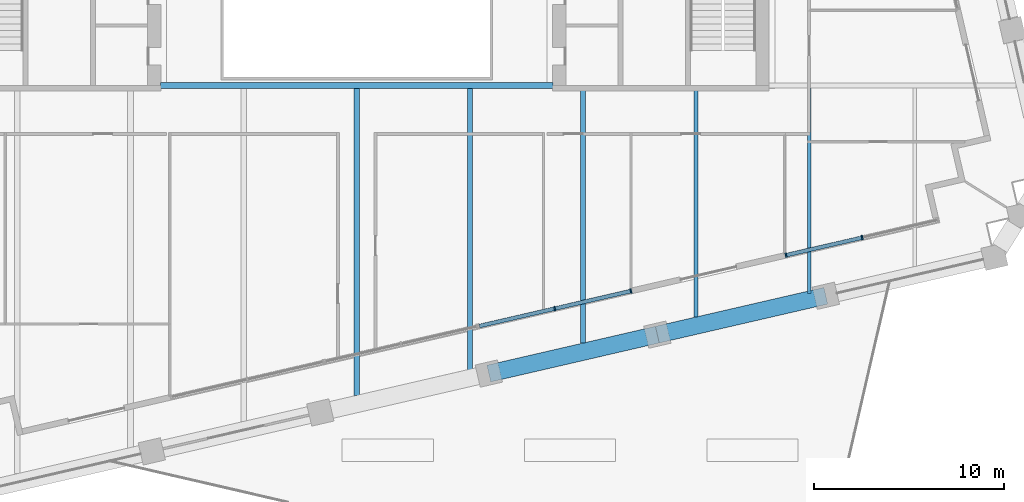
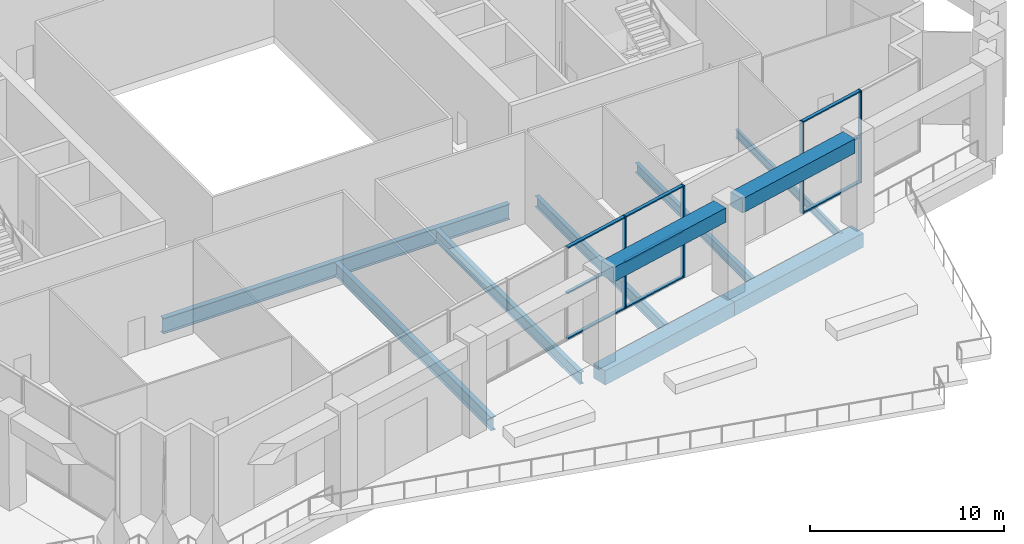
# One storey, part 3 of 24: 13 members, 10 beams, 2 elements without a shape of their own.
"""IFC4 building model written with IfcOpenShell, lengths in metres."""

from ifc_helpers import new_model, si_unit, direction, frame, origin, origin_2d, place, context, subcontext, project, spatial, rectangle, i_section, extrude, material, material_profile, profile_set, type_object, element, aggregate, save


model = new_model("IFC4")

# Units and contexts
model_context = context("Model", 3, precision=1e-05, world=origin(), true_north=direction((0.0, 1.0)))
body_context = subcontext(model_context, "Body", "Model", "MODEL_VIEW")
ifc_project = project(units=[si_unit("LENGTHUNIT", "METRE"), si_unit("AREAUNIT", "SQUARE_METRE"), si_unit("VOLUMEUNIT", "CUBIC_METRE"), si_unit("PLANEANGLEUNIT", "RADIAN"), si_unit("MASSUNIT", "GRAM", prefix="KILO")], contexts=[model_context])

# Site, building, storey
site_placement = place(None, origin())
site = spatial("IfcSite", under=ifc_project, at=site_placement, CompositionType="ELEMENT")
building_placement = place(site_placement, origin())
building = spatial("IfcBuilding", under=site, at=building_placement, Name="Ogive Exchange Tower", CompositionType="ELEMENT")
storey_placement = place(building_placement, frame((0.0, 0.0, 165.60009765625)))
storey = spatial("IfcBuildingStorey", under=building, at=storey_placement, Name="L36", CompositionType="ELEMENT", Elevation=165.60009765625)

# Beams
ifc_material_1 = material(Name="Steel ASTM A992 Gr50", Category="steel")
ifc_material_profile_1 = material_profile(ifc_material_1, i_section(OverallWidth=0.1669921875, OverallDepth=0.535888671875, WebThickness=0.01025390625, FlangeThickness=0.0166015625, at=origin_2d()), Name="W530x85")
ifc_profile_set_1 = profile_set([ifc_material_profile_1], Name="Steel ASTM A992 Gr50")
beam_type_1 = type_object("IfcBeamType", Name="Floor beam W530x85", PredefinedType="JOIST", material=ifc_profile_set_1)
beam_1_placement = place(storey_placement, frame((23.806396484375, -13.40478515625, -0.718017578125), z_axis=(0.0, 1.0, 0.0), x_axis=(-1.0, 0.0, 0.0)))
element("IfcBeam", 1, at=beam_1_placement, inside=storey, type_object=beam_type_1, Name="Floor beam", PredefinedType="JOIST", context=body_context, shape_type="SweptSolid", body=[
    extrude(i_section(OverallWidth=0.1669921875, OverallDepth=0.535888671875, WebThickness=0.01025390625, FlangeThickness=0.0166015625, at=origin_2d()), origin(), (0.0, 0.0, 1.0), 10.826171875),
])
ifc_material_profile_2 = material_profile(ifc_material_1, i_section(OverallWidth=0.22802734375, OverallDepth=0.60205078125, WebThickness=0.010498046875, FlangeThickness=0.014892578125, at=origin_2d()), Name="W610x101")
ifc_profile_set_2 = profile_set([ifc_material_profile_2], Name="Steel ASTM A992 Gr50")
beam_type_2 = type_object("IfcBeamType", Name="Floor beam W610x101", PredefinedType="JOIST", material=ifc_profile_set_2)
beam_2_placement = place(storey_placement, frame((17.854736328125, -14.62890625, -0.7509765625), z_axis=(0.0, 1.0, 0.0), x_axis=(-1.0, 0.0, 0.0)))
element("IfcBeam", 2, at=beam_2_placement, inside=storey, type_object=beam_type_2, Name="Floor beam", PredefinedType="JOIST", context=body_context, shape_type="SweptSolid", body=[
    extrude(i_section(OverallWidth=0.22802734375, OverallDepth=0.60205078125, WebThickness=0.010498046875, FlangeThickness=0.014892578125, at=origin_2d()), origin(), (0.0, 0.0, 1.0), 12.02880859375),
])
ifc_material_profile_3 = material_profile(ifc_material_1, i_section(OverallWidth=0.25390625, OverallDepth=0.677978515625, WebThickness=0.01171875, FlangeThickness=0.016357421875, at=origin_2d()), Name="W690x125")
ifc_profile_set_3 = profile_set([ifc_material_profile_3], Name="Steel ASTM A992 Gr50")
beam_type_3 = type_object("IfcBeamType", Name="Floor beam W690x125", PredefinedType="JOIST", material=ifc_profile_set_3)
beam_3_placement = place(storey_placement, frame((11.9033203125, -16.0029296875, -0.7890625), z_axis=(0.0, 1.0, 0.0), x_axis=(-1.0, 0.0, 0.0)))
element("IfcBeam", 3, at=beam_3_placement, inside=storey, type_object=beam_type_3, Name="Floor beam", PredefinedType="JOIST", context=body_context, shape_type="SweptSolid", body=[
    extrude(i_section(OverallWidth=0.25390625, OverallDepth=0.677978515625, WebThickness=0.01171875, FlangeThickness=0.016357421875, at=origin_2d()), origin(), (0.0, 0.0, 1.0), 13.40283203125),
])
ifc_material_profile_4 = material_profile(ifc_material_1, i_section(OverallWidth=0.26708984375, OverallDepth=0.75390625, WebThickness=0.01318359375, FlangeThickness=0.01708984375, at=origin_2d()), Name="W760x147")
ifc_profile_set_4 = profile_set([ifc_material_profile_4], Name="Steel ASTM A992 Gr50")
beam_type_4 = type_object("IfcBeamType", Name="Floor beam W760x147", PredefinedType="JOIST", material=ifc_profile_set_4)
beam_4_placement = place(storey_placement, frame((5.95166015625, -17.52685546875, -0.8271484375), z_axis=(0.0, 1.0, 0.0), x_axis=(-1.0, 0.0, 0.0)))
element("IfcBeam", 4, at=beam_4_placement, inside=storey, type_object=beam_type_4, Name="Floor beam", PredefinedType="JOIST", context=body_context, shape_type="SweptSolid", body=[
    extrude(i_section(OverallWidth=0.26708984375, OverallDepth=0.75390625, WebThickness=0.01318359375, FlangeThickness=0.01708984375, at=origin_2d()), origin(), (0.0, 0.0, 1.0), 14.931884765625),
])
ifc_material_profile_5 = material_profile(ifc_material_1, i_section(OverallWidth=0.2919921875, OverallDepth=0.8359375, WebThickness=0.013916015625, FlangeThickness=0.018798828125, at=origin_2d()), Name="W840x176")
ifc_profile_set_5 = profile_set([ifc_material_profile_5], Name="Steel ASTM A992 Gr50")
beam_type_5 = type_object("IfcBeamType", Name="Floor beam W840x176", PredefinedType="JOIST", material=ifc_profile_set_5)
beam_5_placement = place(storey_placement, frame((0.0, -18.7509765625, -0.8681640625), z_axis=(0.0, 1.0, 0.0), x_axis=(-1.0, 0.0, 0.0)))
element("IfcBeam", 5, at=beam_5_placement, inside=storey, type_object=beam_type_5, Name="Floor beam", PredefinedType="JOIST", context=body_context, shape_type="SweptSolid", body=[
    extrude(i_section(OverallWidth=0.2919921875, OverallDepth=0.8359375, WebThickness=0.013916015625, FlangeThickness=0.018798828125, at=origin_2d()), origin(), (0.0, 0.0, 1.0), 16.156005859375),
])
ifc_material_profile_6 = material_profile(ifc_material_1, i_section(OverallWidth=0.300048828125, OverallDepth=0.97998046875, WebThickness=0.0166015625, FlangeThickness=0.026123046875, at=origin_2d()), Name="W1000x249")
ifc_profile_set_6 = profile_set([ifc_material_profile_6], Name="Steel ASTM A992 Gr50")
beam_type_6 = type_object("IfcBeamType", Name="Girder W1000x249", PredefinedType="BEAM", material=ifc_profile_set_6)
beam_6_placement = place(storey_placement, frame((-10.320068359375, -2.445068359375, -0.940185546875), z_axis=(1.0, 0.0, 0.0), x_axis=(0.0, 1.0, 0.0)))
element("IfcBeam", 6, at=beam_6_placement, inside=storey, type_object=beam_type_6, Name="Header girder", PredefinedType="BEAM", context=body_context, shape_type="SweptSolid", body=[
    extrude(i_section(OverallWidth=0.300048828125, OverallDepth=0.97998046875, WebThickness=0.0166015625, FlangeThickness=0.026123046875, at=origin_2d()), origin(), (0.0, 0.0, 1.0), 20.64013671875),
])
ifc_material_2 = material(Name="Precast concrete C70/85 (limestone faced)", Category="masonry")
ifc_material_profile_7 = material_profile(ifc_material_2, rectangle(XDim=0.89990234375, YDim=0.89990234375, at=origin_2d()), Name="900 x 900")
ifc_profile_set_7 = profile_set([ifc_material_profile_7], Name="Precast concrete C70/85 (limestone faced)")
beam_type_7 = type_object("IfcBeamType", Name="Precast spandrel 900 x 900 C70/85", PredefinedType="SPANDREL", material=ifc_profile_set_7)
for number, where, z_axis, x_axis, name in (
    (7, (7.51611328125, -17.4775390625, 5.2998046875), (0.974369944206, 0.224951576629, 0.0), (-0.224951576629, 0.974369944206, 0.0), "Spandrel 4"),
    (8, (16.3828125, -15.430419921875, 5.2998046875), (0.974369944206, 0.224951576629, 0.0), (-0.224951576629, 0.974369944206, 0.0), "Spandrel 5"),
):
    element("IfcBeam", number, at=place(storey_placement, frame(where, z_axis=z_axis, x_axis=x_axis)), inside=storey, type_object=beam_type_7, Name=name, PredefinedType="SPANDREL", context=body_context, shape_type="SweptSolid", body=[
        extrude(rectangle(XDim=0.89990234375, YDim=0.89990234375, at=origin_2d()), origin(), (0.0, 0.0, 1.0), 7.940185546875),
    ])
ifc_material_profile_8 = material_profile(ifc_material_2, rectangle(XDim=0.89990234375, YDim=0.89990234375, at=origin_2d()), Name="900 x 900")
ifc_profile_set_8 = profile_set([ifc_material_profile_8], Name="Precast concrete C70/85 (limestone faced)")
beam_type_8 = type_object("IfcBeamType", Name="Precast transfer girder 900 x 900 C70/85", PredefinedType="BEAM", material=ifc_profile_set_8)
beam_7_placement = place(storey_placement, frame((6.950927734375, -17.60791015625, -0.900146484375), z_axis=(0.974375367626, 0.224928083983, 0.0), x_axis=(-0.224928083983, 0.974375367626, 0.0)))
element("IfcBeam", 9, at=beam_7_placement, inside=storey, type_object=beam_type_8, Name="Transfer girder 4", PredefinedType="BEAM", context=body_context, shape_type="SweptSolid", body=[
    extrude(rectangle(XDim=0.89990234375, YDim=0.89990234375, at=origin_2d()), origin(), (0.0, 0.0, 1.0), 9.10009765625),
])
beam_8_placement = place(storey_placement, frame((15.81787109375, -15.56103515625, -0.900146484375), z_axis=(0.974368129866, 0.224959435237, 0.0), x_axis=(-0.224959435237, 0.974368129866, 0.0)))
element("IfcBeam", 10, at=beam_8_placement, inside=storey, type_object=beam_type_8, Name="Transfer girder 5", PredefinedType="BEAM", context=body_context, shape_type="SweptSolid", body=[
    extrude(rectangle(XDim=0.89990234375, YDim=0.89990234375, at=origin_2d()), origin(), (0.0, 0.0, 1.0), 9.099853515625),
])

# Curtain wall, members
ifc_material_3 = material(Name="Anodised aluminium and clear glass", Category="aluminium")
curtain_wall_type = type_object("IfcCurtainWallType", Name="Winter garden glazing", PredefinedType="NOTDEFINED", material=ifc_material_3)
curtain_wall_1_placement = place(storey_placement, origin())
curtain_wall_1 = element("IfcCurtainWall", 11, at=curtain_wall_1_placement, inside=storey, type_object=curtain_wall_type, Name="Winter garden glazing run G4", PredefinedType="NOTDEFINED")
ifc_material_4 = material(Name="Anodised aluminium", Category="aluminium")
ifc_material_profile_9 = material_profile(ifc_material_4, rectangle(XDim=0.239990234375, YDim=0.080078125, at=origin_2d()), Name="AL 80x240")
ifc_profile_set_9 = profile_set([ifc_material_profile_9], Name="Anodised aluminium")
member_type_1 = type_object("IfcMemberType", Name="Winter garden glazing mullion 80 x 240", PredefinedType="MULLION", material=ifc_profile_set_9)
member_1_placement = place(storey_placement, frame((10.4208984375, -14.18994140625, 0.0), z_axis=(0.0, 0.0, 1.0), x_axis=(-0.224953658314, 0.974369463608, 0.0)))
member_1 = element("IfcMember", 12, at=member_1_placement, type_object=member_type_1, Name="G4 mullion 2", PredefinedType="MULLION", context=body_context, shape_type="SweptSolid", body=[
    extrude(rectangle(XDim=0.239990234375, YDim=0.080078125, at=origin_2d()), origin(), (0.0, 0.0, 1.0), 5.7998046875),
])
member_2_placement = place(storey_placement, frame((14.425537109375, -13.265380859375, 0.0), z_axis=(0.0, 0.0, 1.0), x_axis=(-0.224953658314, 0.974369463608, 0.0)))
member_2 = element("IfcMember", 13, at=member_2_placement, type_object=member_type_1, Name="G4 mullion 3", PredefinedType="MULLION", context=body_context, shape_type="SweptSolid", body=[
    extrude(rectangle(XDim=0.239990234375, YDim=0.080078125, at=origin_2d()), origin(), (0.0, 0.0, 1.0), 5.7998046875),
])

curtain_wall_2_placement = place(storey_placement, origin())
curtain_wall_2 = element("IfcCurtainWall", 14, at=curtain_wall_2_placement, inside=storey, type_object=curtain_wall_type, Name="Winter garden glazing run G6", PredefinedType="NOTDEFINED")
member_3_placement = place(storey_placement, frame((22.5908203125, -11.380126953125, 0.0), z_axis=(0.0, 0.0, 1.0), x_axis=(-0.224951017509, 0.974370073289, 0.0)))
member_3 = element("IfcMember", 15, at=member_3_placement, type_object=member_type_1, Name="G6 mullion 1", PredefinedType="MULLION", context=body_context, shape_type="SweptSolid", body=[
    extrude(rectangle(XDim=0.239990234375, YDim=0.080078125, at=origin_2d()), origin(), (0.0, 0.0, 1.0), 5.7998046875),
])
member_4_placement = place(storey_placement, frame((26.595458984375, -10.45556640625, 0.0), z_axis=(0.0, 0.0, 1.0), x_axis=(-0.224951017509, 0.974370073289, 0.0)))
member_4 = element("IfcMember", 16, at=member_4_placement, type_object=member_type_1, Name="G6 mullion 2", PredefinedType="MULLION", context=body_context, shape_type="SweptSolid", body=[
    extrude(rectangle(XDim=0.239990234375, YDim=0.080078125, at=origin_2d()), origin(), (0.0, 0.0, 1.0), 5.7998046875),
])

# Member
ifc_material_profile_10 = material_profile(ifc_material_4, rectangle(XDim=0.199951171875, YDim=0.080078125, at=origin_2d()), Name="AL 80x200")
ifc_profile_set_10 = profile_set([ifc_material_profile_10], Name="Anodised aluminium")
member_type_2 = type_object("IfcMemberType", Name="Winter garden glazing transom 80 x 200", PredefinedType="USERDEFINED", material=ifc_profile_set_10)
member_5_placement = place(storey_placement, frame((6.455322265625, -15.10546875, 0.039794921875), z_axis=(0.974360556574, 0.224992234961, 0.0), x_axis=(-0.224992234961, 0.974360556574, 0.0)))
member_5 = element("IfcMember", 17, at=member_5_placement, type_object=member_type_2, Name="G4 transom 1.1", ObjectType="TRANSOM", PredefinedType="USERDEFINED", context=body_context, shape_type="SweptSolid", body=[
    extrude(rectangle(XDim=0.199951171875, YDim=0.080078125, at=origin_2d()), origin(), (0.0, 0.0, 1.0), 4.030029296875),
])

member_6_placement = place(storey_placement, frame((6.455322265625, -15.10546875, 2.89990234375), z_axis=(0.974360556574, 0.224992234961, 0.0), x_axis=(-0.224992234961, 0.974360556574, 0.0)))
member_6 = element("IfcMember", 18, at=member_6_placement, type_object=member_type_2, Name="G4 transom 1.2", ObjectType="TRANSOM", PredefinedType="USERDEFINED", context=body_context, shape_type="SweptSolid", body=[
    extrude(rectangle(XDim=0.199951171875, YDim=0.080078125, at=origin_2d()), origin(), (0.0, 0.0, 1.0), 4.030029296875),
])

member_7_placement = place(storey_placement, frame((6.455322265625, -15.10546875, 5.760009765625), z_axis=(0.974360556574, 0.224992234961, 0.0), x_axis=(-0.224992234961, 0.974360556574, 0.0)))
member_7 = element("IfcMember", 19, at=member_7_placement, type_object=member_type_2, Name="G4 transom 1.3", ObjectType="TRANSOM", PredefinedType="USERDEFINED", context=body_context, shape_type="SweptSolid", body=[
    extrude(rectangle(XDim=0.199951171875, YDim=0.080078125, at=origin_2d()), origin(), (0.0, 0.0, 1.0), 4.030029296875),
])

member_8_placement = place(storey_placement, frame((10.4599609375, -14.180908203125, 0.039794921875), z_axis=(0.97437383551, 0.224934720918, 0.0), x_axis=(-0.224934720918, 0.97437383551, 0.0)))
member_8 = element("IfcMember", 20, at=member_8_placement, type_object=member_type_2, Name="G4 transom 2.1", ObjectType="TRANSOM", PredefinedType="USERDEFINED", context=body_context, shape_type="SweptSolid", body=[
    extrude(rectangle(XDim=0.199951171875, YDim=0.080078125, at=origin_2d()), origin(), (0.0, 0.0, 1.0), 4.030029296875),
])

member_9_placement = place(storey_placement, frame((10.4599609375, -14.180908203125, 2.89990234375), z_axis=(0.97437383551, 0.224934720918, 0.0), x_axis=(-0.224934720918, 0.97437383551, 0.0)))
member_9 = element("IfcMember", 21, at=member_9_placement, type_object=member_type_2, Name="G4 transom 2.2", ObjectType="TRANSOM", PredefinedType="USERDEFINED", context=body_context, shape_type="SweptSolid", body=[
    extrude(rectangle(XDim=0.199951171875, YDim=0.080078125, at=origin_2d()), origin(), (0.0, 0.0, 1.0), 4.030029296875),
])

member_10_placement = place(storey_placement, frame((10.4599609375, -14.180908203125, 5.760009765625), z_axis=(0.97437383551, 0.224934720918, 0.0), x_axis=(-0.224934720918, 0.97437383551, 0.0)))
member_10 = element("IfcMember", 22, at=member_10_placement, type_object=member_type_2, Name="G4 transom 2.3", ObjectType="TRANSOM", PredefinedType="USERDEFINED", context=body_context, shape_type="SweptSolid", body=[
    extrude(rectangle(XDim=0.199951171875, YDim=0.080078125, at=origin_2d()), origin(), (0.0, 0.0, 1.0), 4.030029296875),
])

aggregate(curtain_wall_1, [member_1, member_2, member_5, member_6, member_7, member_8, member_9, member_10])

member_11_placement = place(storey_placement, frame((22.6298828125, -11.37109375, 0.039794921875), z_axis=(0.97437383551, 0.224934720918, 0.0), x_axis=(-0.224934720918, 0.97437383551, 0.0)))
member_11 = element("IfcMember", 23, at=member_11_placement, type_object=member_type_2, Name="G6 transom 1.1", ObjectType="TRANSOM", PredefinedType="USERDEFINED", context=body_context, shape_type="SweptSolid", body=[
    extrude(rectangle(XDim=0.199951171875, YDim=0.080078125, at=origin_2d()), origin(), (0.0, 0.0, 1.0), 4.030029296875),
])

member_12_placement = place(storey_placement, frame((22.6298828125, -11.37109375, 2.89990234375), z_axis=(0.97437383551, 0.224934720918, 0.0), x_axis=(-0.224934720918, 0.97437383551, 0.0)))
member_12 = element("IfcMember", 24, at=member_12_placement, type_object=member_type_2, Name="G6 transom 1.2", ObjectType="TRANSOM", PredefinedType="USERDEFINED", context=body_context, shape_type="SweptSolid", body=[
    extrude(rectangle(XDim=0.199951171875, YDim=0.080078125, at=origin_2d()), origin(), (0.0, 0.0, 1.0), 4.030029296875),
])

member_13_placement = place(storey_placement, frame((22.6298828125, -11.37109375, 5.760009765625), z_axis=(0.97437383551, 0.224934720918, 0.0), x_axis=(-0.224934720918, 0.97437383551, 0.0)))
member_13 = element("IfcMember", 25, at=member_13_placement, type_object=member_type_2, Name="G6 transom 1.3", ObjectType="TRANSOM", PredefinedType="USERDEFINED", context=body_context, shape_type="SweptSolid", body=[
    extrude(rectangle(XDim=0.199951171875, YDim=0.080078125, at=origin_2d()), origin(), (0.0, 0.0, 1.0), 4.030029296875),
])

aggregate(curtain_wall_2, [member_3, member_4, member_11, member_12, member_13])

save(model, "model.ifc")
